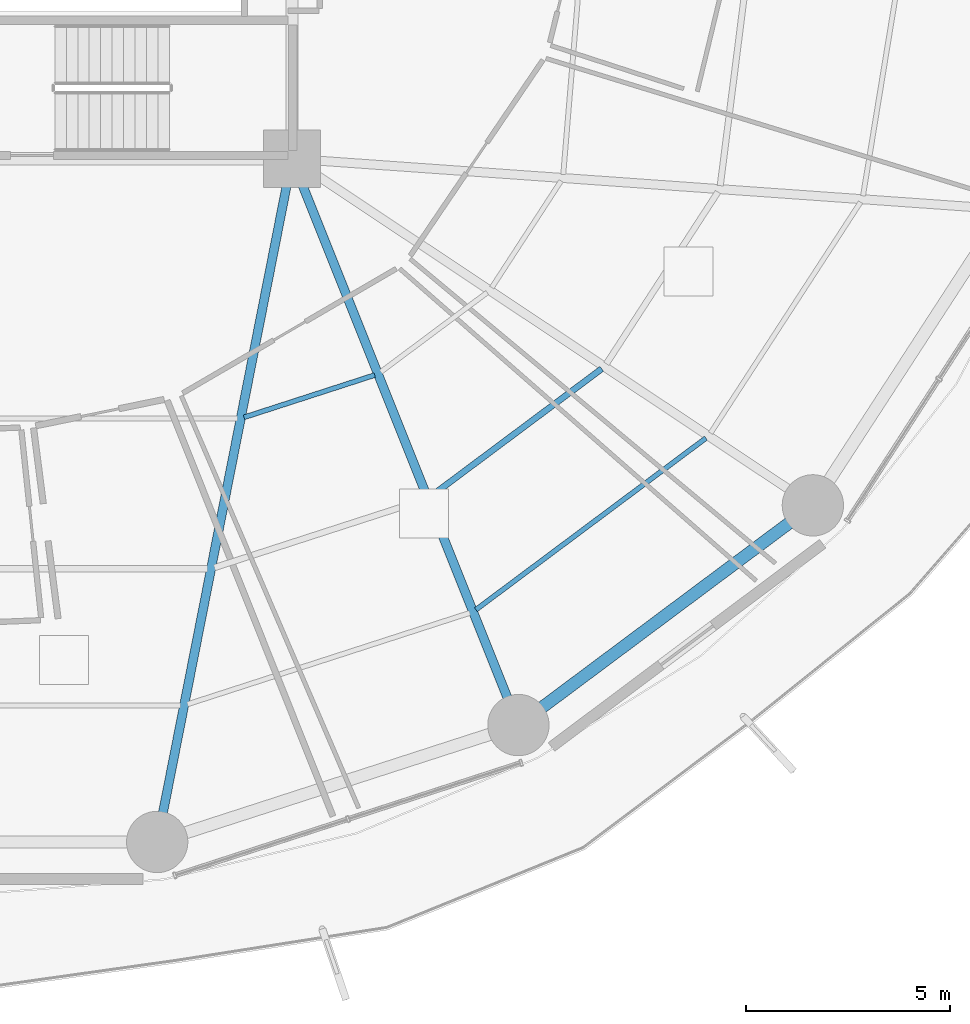
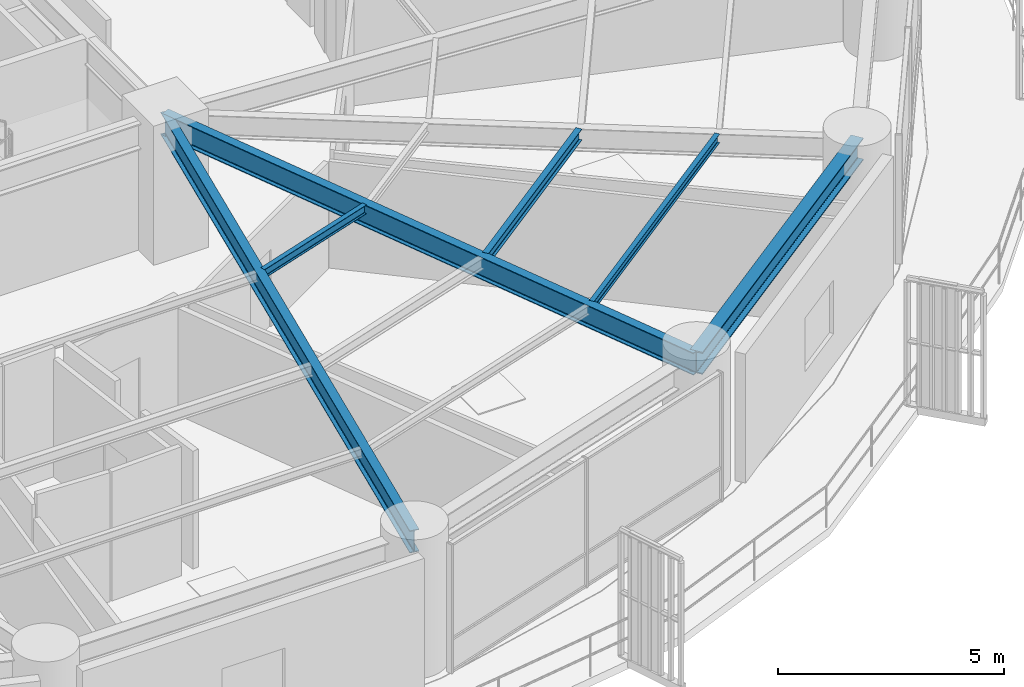
# One storey, part 9 of 32: 6 beams.
"""IFC4 building model written with IfcOpenShell, lengths in metres."""

from ifc_helpers import new_model, si_unit, direction, frame, origin, origin_2d, place, context, subcontext, project, spatial, i_section, extrude, material, material_profile, profile_set, type_object, element, save


model = new_model("IFC4")

# Units and contexts
model_context = context("Model", 3, precision=1e-05, world=origin(), true_north=direction((0.0, 1.0)))
body_context = subcontext(model_context, "Body", "Model", "MODEL_VIEW")
ifc_project = project(units=[si_unit("LENGTHUNIT", "METRE"), si_unit("AREAUNIT", "SQUARE_METRE"), si_unit("VOLUMEUNIT", "CUBIC_METRE"), si_unit("PLANEANGLEUNIT", "RADIAN"), si_unit("MASSUNIT", "GRAM", prefix="KILO")], contexts=[model_context])

# Site, building, storey
site_placement = place(None, origin())
site = spatial("IfcSite", under=ifc_project, at=site_placement, CompositionType="ELEMENT")
building_placement = place(site_placement, origin())
building = spatial("IfcBuilding", under=site, at=building_placement, Name="Kelanora Arch Commons", CompositionType="ELEMENT")
storey_placement = place(building_placement, frame((0.0, 0.0, 48.75)))
storey = spatial("IfcBuildingStorey", under=building, at=storey_placement, Name="L12", CompositionType="ELEMENT", Elevation=48.75)

# Beams
ifc_material = material(Name="Steel S355", Category="steel")
ifc_material_profile_1 = material_profile(ifc_material, i_section(OverallWidth=0.14990234375, OverallDepth=0.300048828125, WebThickness=0.007080078125, FlangeThickness=0.0107421875, FilletRadius=0.014892578125, at=origin_2d()), Name="IPE300")
ifc_profile_set_1 = profile_set([ifc_material_profile_1], Name="Steel S355")
beam_type_1 = type_object("IfcBeamType", Name="BM-JST-01", PredefinedType="JOIST", material=ifc_profile_set_1)
beam_1_placement = place(storey_placement, frame((85.39208984375, 42.738525390625, 3.340087890625), z_axis=(0.801478251559, 0.598023922831, 0.0), x_axis=(-0.598023922831, 0.801478251559, 0.0)))
element("IfcBeam", 1, at=beam_1_placement, inside=storey, type_object=beam_type_1, Name="Secondary Chord Joist BJB-30 L12", PredefinedType="JOIST", context=body_context, shape_type="SweptSolid", body=[
    extrude(i_section(OverallWidth=0.14990234375, OverallDepth=0.300048828125, WebThickness=0.007080078125, FlangeThickness=0.0107421875, FilletRadius=0.014892578125, at=origin_2d()), origin(), (0.0, 0.0, 1.0), 5.223388671875),
])
ifc_material_profile_2 = material_profile(ifc_material, i_section(OverallWidth=0.1201171875, OverallDepth=0.239990234375, WebThickness=0.006103515625, FlangeThickness=0.009765625, FilletRadius=0.014892578125, at=origin_2d()), Name="IPE240")
ifc_profile_set_2 = profile_set([ifc_material_profile_2], Name="Steel S355")
beam_type_2 = type_object("IfcBeamType", Name="BM-JST-02", PredefinedType="JOIST", material=ifc_profile_set_2)
beam_2_placement = place(storey_placement, frame((80.827880859375, 44.6748046875, 3.3701171875), z_axis=(0.951422608074, 0.30788800049, 0.0), x_axis=(-0.30788800049, 0.951422608074, 0.0)))
element("IfcBeam", 2, at=beam_2_placement, inside=storey, type_object=beam_type_2, Name="Secondary Chord Joist BJA-28 L12", PredefinedType="JOIST", context=body_context, shape_type="SweptSolid", body=[
    extrude(i_section(OverallWidth=0.1201171875, OverallDepth=0.239990234375, WebThickness=0.006103515625, FlangeThickness=0.009765625, FilletRadius=0.014892578125, at=origin_2d()), origin(), (0.0, 0.0, 1.0), 3.359619140625),
])
beam_3_placement = place(storey_placement, frame((86.5, 39.9677734375, 3.3701171875), z_axis=(0.80149131963, 0.598006408459, 0.0), x_axis=(-0.598006408459, 0.80149131963, 0.0)))
element("IfcBeam", 3, at=beam_3_placement, inside=storey, type_object=beam_type_2, Name="Secondary Chord Joist BJC-30 L12", PredefinedType="JOIST", context=body_context, shape_type="SweptSolid", body=[
    extrude(i_section(OverallWidth=0.1201171875, OverallDepth=0.239990234375, WebThickness=0.006103515625, FlangeThickness=0.009765625, FilletRadius=0.014892578125, at=origin_2d()), origin(), (0.0, 0.0, 1.0), 7.021240234375),
])
ifc_material_profile_3 = material_profile(ifc_material, i_section(OverallWidth=0.219970703125, OverallDepth=0.60009765625, WebThickness=0.011962890625, FlangeThickness=0.01904296875, FilletRadius=0.02392578125, at=origin_2d()), Name="IPE600")
ifc_profile_set_3 = profile_set([ifc_material_profile_3], Name="Steel S355")
beam_type_3 = type_object("IfcBeamType", Name="BM-RAD-Z1", PredefinedType="BEAM", material=ifc_profile_set_3)
beam_4_placement = place(storey_placement, frame((82.0, 51.0, 3.18994140625), z_axis=(-0.19356352044, -0.981087745084, 0.0), x_axis=(0.981087745084, -0.19356352044, 0.0)))
element("IfcBeam", 4, at=beam_4_placement, inside=storey, type_object=beam_type_3, Name="Radial Floor Girder BR-28 L12", PredefinedType="BEAM", context=body_context, shape_type="SweptSolid", body=[
    extrude(i_section(OverallWidth=0.219970703125, OverallDepth=0.60009765625, WebThickness=0.011962890625, FlangeThickness=0.01904296875, FilletRadius=0.02392578125, at=origin_2d()), origin(), (0.0, 0.0, 1.0), 17.036376953125),
])
beam_5_placement = place(storey_placement, frame((82.0, 51.0, 3.18994140625), z_axis=(0.371300398117, -0.928512797089, 0.0), x_axis=(0.928512797089, 0.371300398117, 0.0)))
element("IfcBeam", 5, at=beam_5_placement, inside=storey, type_object=beam_type_3, Name="Radial Floor Girder BR-30 L12", PredefinedType="BEAM", context=body_context, shape_type="SweptSolid", body=[
    extrude(i_section(OverallWidth=0.219970703125, OverallDepth=0.60009765625, WebThickness=0.011962890625, FlangeThickness=0.01904296875, FilletRadius=0.02392578125, at=origin_2d()), origin(), (0.0, 0.0, 1.0), 14.920654296875),
])
ifc_material_profile_4 = material_profile(ifc_material, i_section(OverallWidth=0.300048828125, OverallDepth=0.60009765625, WebThickness=0.015380859375, FlangeThickness=0.030029296875, FilletRadius=0.027099609375, at=origin_2d()), Name="HEB600")
ifc_profile_set_4 = profile_set([ifc_material_profile_4], Name="Steel S355")
beam_type_4 = type_object("IfcBeamType", Name="BM-SPN-Z1", PredefinedType="SPANDREL", material=ifc_profile_set_4)
beam_6_placement = place(storey_placement, frame((87.5400390625, 37.14599609375, 3.18994140625), z_axis=(0.801467504127, 0.598038326388, 0.0), x_axis=(-0.598038326388, 0.801467504127, 0.0)))
element("IfcBeam", 6, at=beam_6_placement, inside=storey, type_object=beam_type_4, Name="Perimeter Spandrel Beam BS-30 L12", PredefinedType="SPANDREL", context=body_context, shape_type="SweptSolid", body=[
    extrude(i_section(OverallWidth=0.300048828125, OverallDepth=0.60009765625, WebThickness=0.015380859375, FlangeThickness=0.030029296875, FilletRadius=0.027099609375, at=origin_2d()), origin(), (0.0, 0.0, 1.0), 8.989013671875),
])

save(model, "model.ifc")
